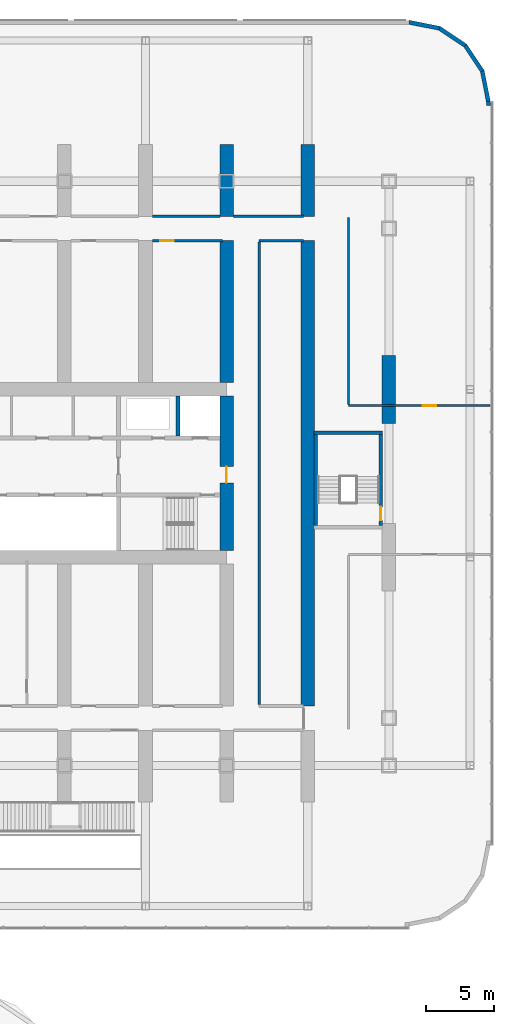
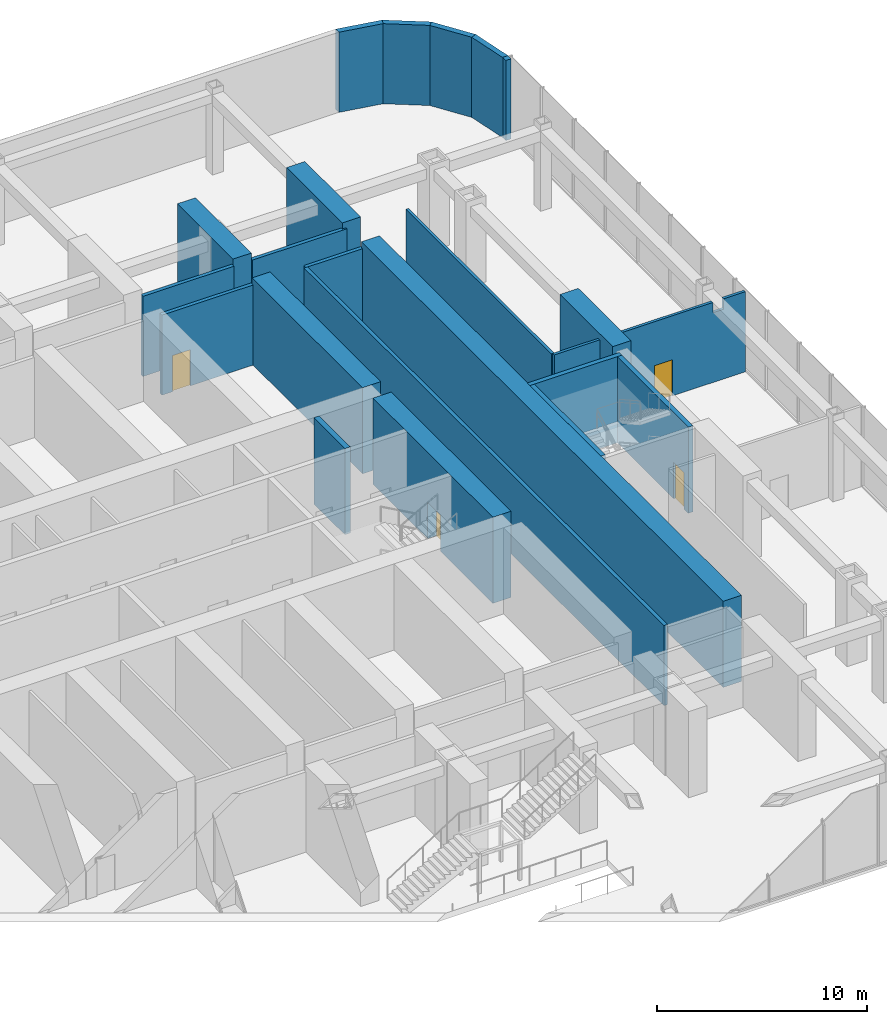
# One storey, part 19 of 37: 22 walls, 4 doors, 4 openings.
"""IFC4 building model written with IfcOpenShell, lengths in metres."""

from ifc_helpers import new_model, si_unit, direction, frame, frame_2d, origin, place, context, subcontext, project, spatial, polyline, rectangle, outline, extrude, material, layer, layer_set, type_object, element, fill, save


model = new_model("IFC4")

# Units and contexts
model_context = context("Model", 3, precision=1e-05, world=origin(), true_north=direction((0.0, 1.0)))
body_context = subcontext(model_context, "Body", "Model", "MODEL_VIEW")
ifc_project = project(units=[si_unit("LENGTHUNIT", "METRE"), si_unit("AREAUNIT", "SQUARE_METRE"), si_unit("VOLUMEUNIT", "CUBIC_METRE"), si_unit("PLANEANGLEUNIT", "RADIAN"), si_unit("MASSUNIT", "GRAM", prefix="KILO")], contexts=[model_context])

# Site, building, storey
site_placement = place(None, origin())
site = spatial("IfcSite", under=ifc_project, at=site_placement, CompositionType="ELEMENT")
building_placement = place(site_placement, origin())
building = spatial("IfcBuilding", under=site, at=building_placement, Name="Orbita Commons", CompositionType="ELEMENT")
storey_placement = place(building_placement, frame((0.0, 0.0, 6.0)))
storey = spatial("IfcBuildingStorey", under=building, at=storey_placement, Name="L01", CompositionType="ELEMENT", Elevation=6.0)

# Wall
ifc_material_1 = material(Name="Concrete C50/60", Category="concrete")
ifc_layer_1 = layer(ifc_material_1, 0.300048828125)
ifc_layer_set_1 = layer_set([ifc_layer_1], Name="Concrete C50/60")
wall_type_1 = type_object("IfcWallType", Name="Core inner wall 300 C50/60", PredefinedType="SHEAR", material=ifc_layer_set_1)
wall_1_placement = place(storey_placement, frame((62.39990234375, 34.75, 0.0), z_axis=(0.0, 0.0, 1.0), x_axis=(0.0, 1.0, 0.0)))
element("IfcWall", 1, at=wall_1_placement, inside=storey, type_object=wall_type_1, Name="Firefighting lift FL2 shaft wall L01", PredefinedType="SHEAR", context=body_context, shape_type="SweptSolid", body=[
    extrude(rectangle(XDim=2.949951171875, YDim=0.300048828125, at=frame_2d((1.47509765625, 0.0))), origin(), (0.0, 0.0, 1.0), 5.0),
])

# Wall, opening, door
ifc_material_2 = material(Name="Concrete C50/60", Category="concrete")
ifc_layer_2 = layer(ifc_material_2, 1.0)
ifc_layer_set_2 = layer_set([ifc_layer_2], Name="Concrete C50/60")
wall_type_2 = type_object("IfcWallType", Name="Core wall 1000 C50/60", PredefinedType="SHEAR", material=ifc_layer_set_2)
wall_2_placement = place(storey_placement, frame((66.0, 26.300048828125, 0.0), z_axis=(0.0, 0.0, 1.0), x_axis=(0.0, 1.0, 0.0)))
wall_2 = element("IfcWall", 2, at=wall_2_placement, inside=storey, type_object=wall_type_2, Name="Core end wall east L01", PredefinedType="SHEAR", context=body_context, shape_type="SweptSolid", body=[
    extrude(rectangle(XDim=11.39990234375, YDim=1.0, at=frame_2d((5.699951171875, 0.0))), origin(), (0.0, 0.0, 1.0), 5.0),
])
opening_1_placement = place(wall_2_placement, frame((5.0, 0.0, 0.0)))
opening_1 = element("IfcOpeningElement", 3, at=opening_1_placement, cuts=wall_2, Name="Opening D01", PredefinedType="OPENING", context=body_context, shape_type="SweptSolid", body=[
    extrude(rectangle(XDim=1.199951171875, YDim=2.10009765625, at=frame_2d((0.60009765625, 1.050048828125))), frame((0.0, 0.510009765625, 0.0), z_axis=(0.0, -1.0, 0.0), x_axis=(1.0, 0.0, 0.0)), (0.0, 0.0, 1.0), 1.02001953125),
])
ifc_material_3 = material(Name="Steel-faced fire door leaf", Category="steel")
door_type_1 = type_object("IfcDoorType", Name="Fire door 90 min 1200x2100", OperationType="SINGLE_SWING_LEFT", PredefinedType="DOOR", material=ifc_material_3)
door_1_placement = place(opening_1_placement, origin())
door_1 = element("IfcDoor", 4, at=door_1_placement, inside=storey, type_object=door_type_1, Name="Firefighting lobby east door", OperationType="SINGLE_SWING_LEFT", OverallHeight=2.10009765625, OverallWidth=1.199951171875, PredefinedType="DOOR", context=body_context, shape_type="SweptSolid", body=[
    extrude(rectangle(XDim=1.199951171875, YDim=2.10009765625, at=frame_2d((0.60009765625, 1.050048828125))), frame((0.0, 0.02490234375, 0.0), z_axis=(0.0, -1.0, 0.0), x_axis=(1.0, 0.0, 0.0)), (0.0, 0.0, 1.0), 0.050048828125),
])
fill(opening_1, door_1)

# Walls
ifc_material_4 = material(Name="Concrete blockwork", Category="masonry")
ifc_layer_3 = layer(ifc_material_4, 0.199951171875)
ifc_layer_set_3 = layer_set([ifc_layer_3], Name="Concrete blockwork")
wall_type_3 = type_object("IfcWallType", Name="Corridor wall 200 blockwork", PredefinedType="SOLIDWALL", material=ifc_layer_set_3)
wall_3_placement = place(storey_placement, frame((60.5, 51.0, 0.0), z_axis=(0.0, 0.0, 1.0), x_axis=(1.0, 0.0, 0.0)))
element("IfcWall", 5, at=wall_3_placement, inside=storey, type_object=wall_type_3, Name="Corridor wall 200 blockwork L01", PredefinedType="SOLIDWALL", context=body_context, shape_type="SweptSolid", body=[
    extrude(rectangle(XDim=5.0, YDim=0.199951171875, at=frame_2d((2.5, 0.0))), origin(), (0.0, 0.0, 1.0), 4.64990234375),
])
wall_4_placement = place(storey_placement, frame((66.5, 51.0, 0.0), z_axis=(0.0, 0.0, 1.0), x_axis=(1.0, 0.0, 0.0)))
element("IfcWall", 6, at=wall_4_placement, inside=storey, type_object=wall_type_3, Name="Corridor wall 200 blockwork L01", PredefinedType="SOLIDWALL", context=body_context, shape_type="SweptSolid", body=[
    extrude(rectangle(XDim=5.199951171875, YDim=0.199951171875, at=frame_2d((2.60009765625, 0.0))), origin(), (0.0, 0.0, 1.0), 4.64990234375),
])
wall_5_placement = place(storey_placement, frame((68.39990234375, 49.199951171875, 0.0), z_axis=(0.0, 0.0, 1.0), x_axis=(1.0, 0.0, 0.0)))
element("IfcWall", 7, at=wall_5_placement, inside=storey, type_object=wall_type_3, Name="Corridor wall 200 blockwork L01", PredefinedType="SOLIDWALL", context=body_context, shape_type="SweptSolid", body=[
    extrude(rectangle(XDim=3.300048828125, YDim=0.199951171875, at=frame_2d((1.64990234375, 0.0))), origin(), (0.0, 0.0, 1.0), 4.64990234375),
])
wall_6_placement = place(storey_placement, frame((68.39990234375, 14.89990234375, 0.0), z_axis=(0.0, 0.0, 1.0), x_axis=(0.0, 1.0, 0.0)))
element("IfcWall", 8, at=wall_6_placement, inside=storey, type_object=wall_type_3, Name="Corridor wall 200 blockwork L01", PredefinedType="SOLIDWALL", context=body_context, shape_type="SweptSolid", body=[
    extrude(rectangle(XDim=34.2001953125, YDim=0.199951171875, at=frame_2d((17.10009765625, 0.0))), origin(), (0.0, 0.0, 1.0), 4.64990234375),
])

# Wall, opening, door
wall_7_placement = place(storey_placement, frame((60.5, 49.199951171875, 0.0), z_axis=(0.0, 0.0, 1.0), x_axis=(1.0, 0.0, 0.0)))
wall_7 = element("IfcWall", 9, at=wall_7_placement, inside=storey, type_object=wall_type_3, Name="Corridor wall 200 blockwork L01", PredefinedType="SOLIDWALL", context=body_context, shape_type="SweptSolid", body=[
    extrude(rectangle(XDim=5.199951171875, YDim=0.199951171875, at=frame_2d((2.60009765625, 0.0))), origin(), (0.0, 0.0, 1.0), 4.64990234375),
])
opening_2_placement = place(wall_7_placement, frame((0.574951171875, 0.0, 0.0)))
opening_2 = element("IfcOpeningElement", 10, at=opening_2_placement, cuts=wall_7, Name="Opening D06", PredefinedType="OPENING", context=body_context, shape_type="SweptSolid", body=[
    extrude(rectangle(XDim=1.0, YDim=2.10009765625, at=frame_2d((0.5, 1.050048828125))), frame((0.0, 0.10986328125, 0.0), z_axis=(0.0, -1.0, 0.0), x_axis=(1.0, 0.0, 0.0)), (0.0, 0.0, 1.0), 0.219970703125),
])
ifc_material_5 = material(Name="Steel-faced fire door leaf", Category="steel")
door_type_2 = type_object("IfcDoorType", Name="Corridor door 20 min 1000x2100", OperationType="SINGLE_SWING_LEFT", PredefinedType="DOOR", material=ifc_material_5)
door_2_placement = place(opening_2_placement, origin())
door_2 = element("IfcDoor", 11, at=door_2_placement, inside=storey, type_object=door_type_2, Name="Room door", OperationType="SINGLE_SWING_LEFT", OverallHeight=2.10009765625, OverallWidth=1.0, PredefinedType="DOOR", context=body_context, shape_type="SweptSolid", body=[
    extrude(rectangle(XDim=1.0, YDim=2.10009765625, at=frame_2d((0.5, 1.050048828125))), frame((0.0, 0.02490234375, 0.0), z_axis=(0.0, -1.0, 0.0), x_axis=(1.0, 0.0, 0.0)), (0.0, 0.0, 1.0), 0.050048828125),
])
fill(opening_2, door_2)

# Walls
ifc_material_6 = material(Name="Concrete C50/60", Category="concrete")
ifc_layer_4 = layer(ifc_material_6, 1.0)
ifc_layer_set_4 = layer_set([ifc_layer_4], Name="Concrete C50/60")
wall_type_4 = type_object("IfcWallType", Name="Cross wall 1000 C50/60", PredefinedType="SHEAR", material=ifc_layer_set_4)
wall_8_placement = place(storey_placement, frame((66.0, 51.0, 0.0), z_axis=(0.0, 0.0, 1.0), x_axis=(0.0, 1.0, 0.0)))
element("IfcWall", 12, at=wall_8_placement, inside=storey, type_object=wall_type_4, Name="Cross wall 12 north outer L01", PredefinedType="SHEAR", context=body_context, shape_type="SweptSolid", body=[
    extrude(rectangle(XDim=5.300048828125, YDim=1.0, at=frame_2d((2.64990234375, 0.0))), origin(), (0.0, 0.0, 1.0), 5.0),
])
wall_9_placement = place(storey_placement, frame((66.0, 38.699951171875, 0.0), z_axis=(0.0, 0.0, 1.0), x_axis=(0.0, 1.0, 0.0)))
element("IfcWall", 13, at=wall_9_placement, inside=storey, type_object=wall_type_4, Name="Cross wall 12 north inner L01", PredefinedType="SHEAR", context=body_context, shape_type="SweptSolid", body=[
    extrude(rectangle(XDim=10.5, YDim=1.0, at=frame_2d((5.25, 0.0))), origin(), (0.0, 0.0, 1.0), 5.0),
])
wall_10_placement = place(storey_placement, frame((72.0, 51.0, 0.0), z_axis=(0.0, 0.0, 1.0), x_axis=(0.0, 1.0, 0.0)))
element("IfcWall", 14, at=wall_10_placement, inside=storey, type_object=wall_type_4, Name="Cross wall 13 north outer L01", PredefinedType="SHEAR", context=body_context, shape_type="SweptSolid", body=[
    extrude(rectangle(XDim=5.300048828125, YDim=1.0, at=frame_2d((2.64990234375, 0.0))), origin(), (0.0, 0.0, 1.0), 5.0),
])
wall_11_placement = place(storey_placement, frame((72.0, 14.800048828125, 0.0), z_axis=(0.0, 0.0, 1.0), x_axis=(0.0, 1.0, 0.0)))
element("IfcWall", 15, at=wall_11_placement, inside=storey, type_object=wall_type_4, Name="Cross wall 13 inner L01", PredefinedType="SHEAR", context=body_context, shape_type="SweptSolid", body=[
    extrude(rectangle(XDim=34.39990234375, YDim=1.0, at=frame_2d((17.199951171875, 0.0))), origin(), (0.0, 0.0, 1.0), 5.0),
])
ifc_material_7 = material(Name="Concrete C50/60", Category="concrete")
ifc_layer_5 = layer(ifc_material_7, 1.0)
ifc_layer_set_5 = layer_set([ifc_layer_5], Name="Concrete C50/60")
wall_type_5 = type_object("IfcWallType", Name="End pier 1000x5000 C50/60", PredefinedType="SHEAR", material=ifc_layer_set_5)
wall_12_placement = place(storey_placement, frame((78.0, 35.699951171875, 0.0), z_axis=(0.0, 0.0, 1.0), x_axis=(0.0, 1.0, 0.0)))
element("IfcWall", 16, at=wall_12_placement, inside=storey, type_object=wall_type_5, Name="End pier 14/D L01", PredefinedType="SHEAR", context=body_context, shape_type="SweptSolid", body=[
    extrude(rectangle(XDim=5.0, YDim=1.0, at=frame_2d((2.5, 0.0))), origin(), (0.0, 0.0, 1.0), 5.0),
])

# Wall, opening, door
ifc_material_8 = material(Name="Gypsum plasterboard on steel studs", Category="steel")
ifc_layer_6 = layer(ifc_material_8, 0.14990234375)
ifc_layer_set_6 = layer_set([ifc_layer_6], Name="Gypsum plasterboard on steel studs")
wall_type_6 = type_object("IfcWallType", Name="Partition 150 plasterboard", PredefinedType="PARTITIONING", material=ifc_layer_set_6)
wall_13_placement = place(storey_placement, frame((75.0, 37.0, 0.0), z_axis=(0.0, 0.0, 1.0), x_axis=(1.0, 0.0, 0.0)))
wall_13 = element("IfcWall", 17, at=wall_13_placement, inside=storey, type_object=wall_type_6, Name="Partition 150 plasterboard L01", PredefinedType="PARTITIONING", context=body_context, shape_type="SweptSolid", body=[
    extrude(outline(polyline([(0.0, 0.0), (10.489990234375, 0.0), (10.489990234375, 4.64990234375), (9.302001953125, 4.64990234375), (9.300048828125, 4.050048828125), (8.701904296875, 4.050048828125), (8.699951171875, 4.64990234375), (0.0, 4.64990234375), (0.0, 0.0)])), frame((0.0, 0.074951171875, 0.0), z_axis=(0.0, -1.0, 0.0), x_axis=(1.0, 0.0, 0.0)), (0.0, 0.0, 1.0), 0.14990234375),
])
opening_3_placement = place(wall_13_placement, frame((5.5, 0.0, 0.0)))
opening_3 = element("IfcOpeningElement", 18, at=opening_3_placement, cuts=wall_13, Name="Opening D06", PredefinedType="OPENING", context=body_context, shape_type="SweptSolid", body=[
    extrude(rectangle(XDim=1.0, YDim=2.10009765625, at=frame_2d((0.5, 1.050048828125))), frame((0.0, 0.0849609375, 0.0), z_axis=(0.0, -1.0, 0.0), x_axis=(1.0, 0.0, 0.0)), (0.0, 0.0, 1.0), 0.169921875),
])
door_3_placement = place(opening_3_placement, origin())
door_3 = element("IfcDoor", 19, at=door_3_placement, inside=storey, type_object=door_type_2, Name="Bicycle workshop door", OperationType="SINGLE_SWING_LEFT", OverallHeight=2.10009765625, OverallWidth=1.0, PredefinedType="DOOR", context=body_context, shape_type="SweptSolid", body=[
    extrude(rectangle(XDim=1.0, YDim=2.10009765625, at=frame_2d((0.5, 1.050048828125))), frame((0.0, 0.02490234375, 0.0), z_axis=(0.0, -1.0, 0.0), x_axis=(1.0, 0.0, 0.0)), (0.0, 0.0, 1.0), 0.050048828125),
])
fill(opening_3, door_3)

# Wall
wall_14_placement = place(storey_placement, frame((75.0, 37.074951171875, 0.0), z_axis=(0.0, 0.0, 1.0), x_axis=(0.0, 1.0, 0.0)))
element("IfcWall", 20, at=wall_14_placement, inside=storey, type_object=wall_type_6, Name="Partition 150 plasterboard L01", PredefinedType="PARTITIONING", context=body_context, shape_type="SweptSolid", body=[
    extrude(rectangle(XDim=13.824951171875, YDim=0.14990234375, at=frame_2d((6.91259765625, 0.0))), origin(), (0.0, 0.0, 1.0), 4.64990234375),
])

# Wall, opening, door
ifc_material_9 = material(Name="Concrete C50/60", Category="concrete")
ifc_layer_7 = layer(ifc_material_9, 0.25)
ifc_layer_set_7 = layer_set([ifc_layer_7], Name="Concrete C50/60")
wall_type_7 = type_object("IfcWallType", Name="Podium stair wall 250 RC", PredefinedType="SHEAR", material=ifc_layer_set_7)
wall_15_placement = place(storey_placement, frame((77.39990234375, 28.125, 0.0), z_axis=(0.0, 0.0, 1.0), x_axis=(0.0, 1.0, 0.0)))
wall_15 = element("IfcWall", 21, at=wall_15_placement, inside=storey, type_object=wall_type_7, Name="Podium stair PS2 wall e L01", PredefinedType="SHEAR", context=body_context, shape_type="SweptSolid", body=[
    extrude(rectangle(XDim=6.75, YDim=0.25, at=frame_2d((3.375, 0.0))), origin(), (0.0, 0.0, 1.0), 5.0),
])
opening_4_placement = place(wall_15_placement, frame((0.39990234375, 0.0, 0.0)))
opening_4 = element("IfcOpeningElement", 22, at=opening_4_placement, cuts=wall_15, Name="Opening D02", PredefinedType="OPENING", context=body_context, shape_type="SweptSolid", body=[
    extrude(rectangle(XDim=1.0, YDim=2.10009765625, at=frame_2d((0.5, 1.050048828125))), frame((0.0, 0.135009765625, 0.0), z_axis=(0.0, -1.0, 0.0), x_axis=(1.0, 0.0, 0.0)), (0.0, 0.0, 1.0), 0.27001953125),
])
ifc_material_10 = material(Name="Steel-faced fire door leaf", Category="steel")
door_type_3 = type_object("IfcDoorType", Name="Fire door 90 min 1000x2100", OperationType="SINGLE_SWING_LEFT", PredefinedType="DOOR", material=ifc_material_10)
door_4_placement = place(opening_4_placement, origin())
door_4 = element("IfcDoor", 23, at=door_4_placement, inside=storey, type_object=door_type_3, Name="Podium exit stair PS2 door", OperationType="SINGLE_SWING_LEFT", OverallHeight=2.10009765625, OverallWidth=1.0, PredefinedType="DOOR", context=body_context, shape_type="SweptSolid", body=[
    extrude(rectangle(XDim=1.0, YDim=2.10009765625, at=frame_2d((0.5, 1.050048828125))), frame((0.0, 0.02490234375, 0.0), z_axis=(0.0, -1.0, 0.0), x_axis=(1.0, 0.0, 0.0)), (0.0, 0.0, 1.0), 0.050048828125),
])
fill(opening_4, door_4)

# Walls
wall_16_placement = place(storey_placement, frame((77.52490234375, 35.0, 0.0), z_axis=(0.0, 0.0, 1.0), x_axis=(-1.0, 0.0, 0.0)))
element("IfcWall", 24, at=wall_16_placement, inside=storey, type_object=wall_type_7, Name="Podium stair PS2 wall n L01", PredefinedType="SHEAR", context=body_context, shape_type="SweptSolid", body=[
    extrude(rectangle(XDim=5.0498046875, YDim=0.25, at=frame_2d((2.52490234375, 0.0))), origin(), (0.0, 0.0, 1.0), 5.0),
])
wall_17_placement = place(storey_placement, frame((72.60009765625, 34.875, 0.0), z_axis=(0.0, 0.0, 1.0), x_axis=(0.0, -1.0, 0.0)))
element("IfcWall", 25, at=wall_17_placement, inside=storey, type_object=wall_type_7, Name="Podium stair PS2 wall w L01", PredefinedType="SHEAR", context=body_context, shape_type="SweptSolid", body=[
    extrude(rectangle(XDim=6.75, YDim=0.25, at=frame_2d((3.375, 0.0))), origin(), (0.0, 0.0, 1.0), 5.0),
])
ifc_material_11 = material(Name="Precast concrete C40/50, white board-marked finish", Category="concrete")
ifc_layer_8 = layer(ifc_material_11, 0.300048828125)
ifc_layer_set_8 = layer_set([ifc_layer_8], Name="Precast concrete C40/50, white board-marked finish")
wall_type_8 = type_object("IfcWallType", Name="Precast concrete end shield 300", PredefinedType="SOLIDWALL", material=ifc_layer_set_8)
wall_18_placement = place(storey_placement, frame((85.35009765625, 59.5, 0.0), z_axis=(0.0, 0.0, 1.0), x_axis=(-0.195087604935, 0.98078582086, 0.0)))
element("IfcWall", 26, at=wall_18_placement, inside=storey, type_object=wall_type_8, Name="Podium corner wall NE 1 L01", PredefinedType="SOLIDWALL", context=body_context, shape_type="SweptSolid", body=[
    extrude(outline(polyline([(-0.014892578125, -0.14990234375), (2.3125, -0.14990234375), (2.2529296875, 0.14990234375), (0.014892578125, 0.14990234375), (-0.014892578125, -0.14990234375)])), origin(), (0.0, 0.0, 1.0), 4.64990234375),
])
for number, where, z_axis, x_axis, name in (
    (27, (84.90478515625, 61.73876953125, 0.0), (0.0, 0.0, 1.0), (-0.555539121903, 0.831490399244, 0.0), "Podium corner wall NE 2 L01"),
    (28, (83.63671875, 63.63671875, 0.0), (0.0, 0.0, 1.0), (-0.831490399244, 0.555539121903, 0.0), "Podium corner wall NE 3 L01"),
):
    element("IfcWall", number, at=place(storey_placement, frame(where, z_axis=z_axis, x_axis=x_axis)), inside=storey, type_object=wall_type_8, Name=name, PredefinedType="SOLIDWALL", context=body_context, shape_type="SweptSolid", body=[
        extrude(outline(polyline([(-0.02978515625, -0.14990234375), (2.312255859375, -0.14990234375), (2.252685546875, 0.14990234375), (0.02978515625, 0.14990234375), (-0.02978515625, -0.14990234375)])), origin(), (0.0, 0.0, 1.0), 4.64990234375),
    ])
wall_19_placement = place(storey_placement, frame((81.73876953125, 64.90478515625, 0.0), z_axis=(0.0, 0.0, 1.0), x_axis=(-0.98078582086, 0.195087604935, 0.0)))
element("IfcWall", 29, at=wall_19_placement, inside=storey, type_object=wall_type_8, Name="Podium corner wall NE 4 L01", PredefinedType="SOLIDWALL", context=body_context, shape_type="SweptSolid", body=[
    extrude(outline(polyline([(-0.02978515625, -0.14990234375), (2.3125, -0.14990234375), (2.2529296875, 0.14990234375), (0.02978515625, 0.14990234375), (-0.02978515625, -0.14990234375)])), origin(), (0.0, 0.0, 1.0), 4.64990234375),
])
wall_20_placement = place(storey_placement, frame((85.35009765625, 59.5, 0.0), z_axis=(0.0, 0.0, 1.0), x_axis=(0.0, -1.0, 0.0)))
element("IfcWall", 30, at=wall_20_placement, inside=storey, type_object=wall_type_8, Name="Podium corner wall jamb E2 L01", PredefinedType="SOLIDWALL", context=body_context, shape_type="SweptSolid", body=[
    extrude(rectangle(XDim=0.300048828125, YDim=0.300048828125, at=frame_2d((0.14990234375, 0.0))), origin(), (0.0, 0.0, 1.0), 4.64990234375),
])

save(model, "model.ifc")
